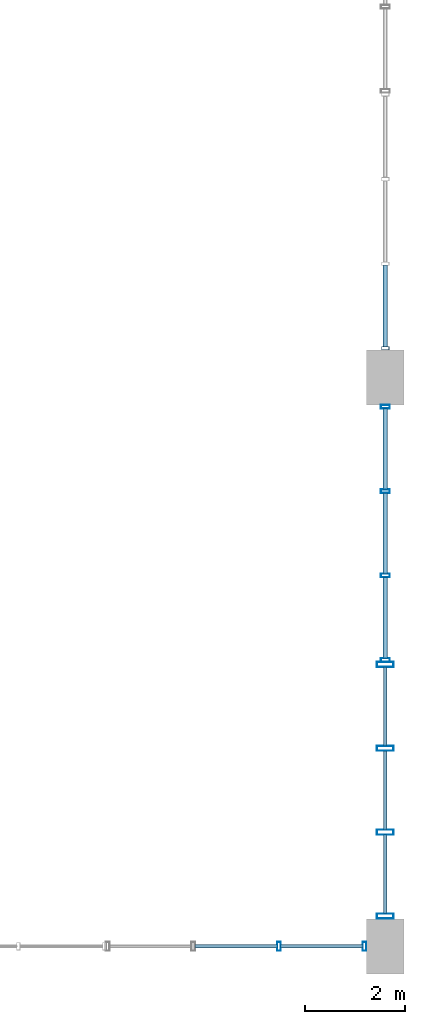
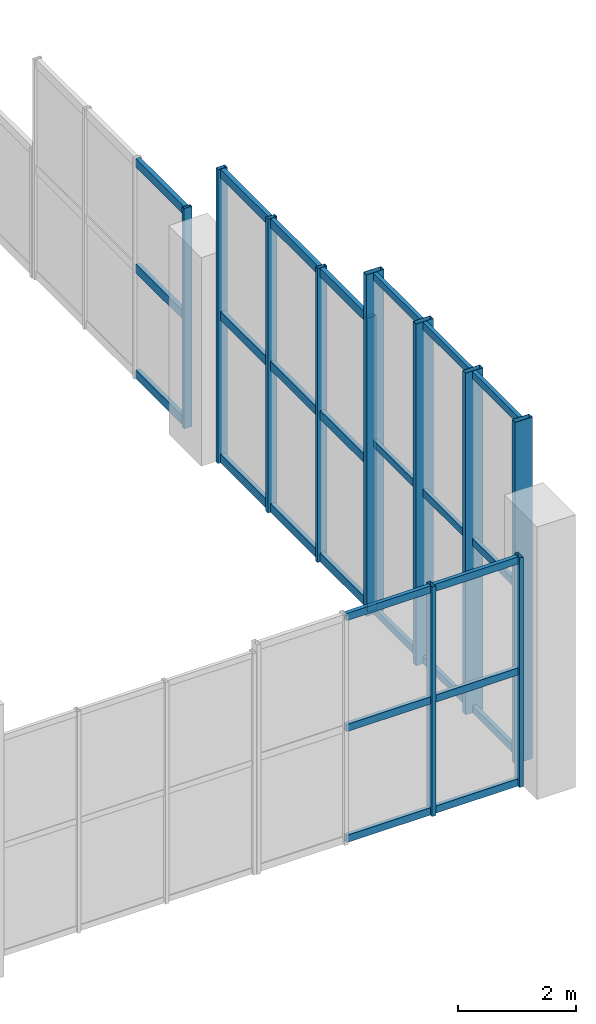
# One storey, part 11 of 28: 38 members, 4 elements without a shape of their own.
"""IFC4 building model written with IfcOpenShell, lengths in metres."""

import ifcopenshell
import ifcopenshell.guid

model = None  # the IFC model being written
_history = None  # IfcOwnerHistory: only IFC2X3 demands one
_inside = {}  # id of a spatial element -> (the spatial element, [elements in it])
_under = {}  # id of a project, library or spatial element -> (it, [spatial elements below it])
_declared = {}  # id of a project -> (the project, [libraries it declares])
_typed = {}  # id of a type object -> (the type object, [elements of that type])
_made_of = {}  # id of a material, layer set ... -> (it, [elements and type objects made of it])


def new_model(schema):
    """Start an empty IFC model of exactly this schema.

    Asked for "IFC4X3", IfcOpenShell would pick the latest addendum, in which some entities
    have other attributes; the version numbers below select the first issue.
    IFC2X3 requires an IfcOwnerHistory on every rooted entity: one is made here for all.
    """
    global model, _history
    if schema == "IFC4X3":
        model = ifcopenshell.file(schema_version=(4, 3, 0, 0))
    else:
        model = ifcopenshell.file(schema=schema)
    _inside.clear()
    _under.clear()
    _declared.clear()
    _typed.clear()
    _made_of.clear()
    _history = None
    if model.schema == "IFC2X3":
        org = make("IfcOrganization", Name="unknown")
        user = make(
            "IfcPersonAndOrganization",
            ThePerson=make("IfcPerson", FamilyName="unknown"),
            TheOrganization=org,
        )
        app = make(
            "IfcApplication",
            ApplicationDeveloper=org,
            Version="unknown",
            ApplicationFullName="unknown",
            ApplicationIdentifier="unknown",
        )
        _history = make(
            "IfcOwnerHistory",
            OwningUser=user,
            OwningApplication=app,
            ChangeAction="ADDED",
            CreationDate=0,
        )
    return model


def make(cls, **values):
    """One entity of the class cls with the attributes given. An attribute that is None is left unset."""
    return model.create_entity(
        cls, **{name: value for name, value in values.items() if value is not None}
    )


def rooted(cls, **values):
    """An entity with a GlobalId (a new one), such as an element, a storey or a relation."""
    return make(cls, GlobalId=ifcopenshell.guid.new(), OwnerHistory=_history, **values)


def si_unit(unit_type, name, prefix=None):
    """IfcSIUnit, for example si_unit("LENGTHUNIT", "METRE", prefix="MILLI")."""
    return make("IfcSIUnit", UnitType=unit_type, Prefix=prefix, Name=name)


def assignment(units):
    """IfcUnitAssignment: the units of a project."""
    return None if units is None else make("IfcUnitAssignment", Units=units)


def point(xyz):
    """IfcCartesianPoint."""
    return None if xyz is None else make("IfcCartesianPoint", Coordinates=xyz)


def direction(xyz):
    """IfcDirection."""
    return None if xyz is None else make("IfcDirection", DirectionRatios=xyz)


def frame(location, z_axis=None, x_axis=None):
    """IfcAxis2Placement3D, a coordinate frame: its origin and axes. An axis left out is left unset."""
    return make(
        "IfcAxis2Placement3D",
        Location=point(location),
        Axis=direction(z_axis),
        RefDirection=direction(x_axis),
    )


def frame_2d(location, x_axis=None):
    """IfcAxis2Placement2D, a coordinate frame in the plane: its origin and x axis."""
    return make(
        "IfcAxis2Placement2D", Location=point(location), RefDirection=direction(x_axis)
    )


def origin():
    """The frame at (0, 0, 0) with its axes left unset."""
    return frame((0.0, 0.0, 0.0))


def origin_2d():
    """The frame at (0, 0) in the plane with its x axis left unset."""
    return frame_2d((0.0, 0.0))


def place(relative_to, where):
    """IfcLocalPlacement: puts the frame where relative to a parent placement (None: the world)."""
    return make(
        "IfcLocalPlacement", PlacementRelTo=relative_to, RelativePlacement=where
    )


def context(
    kind, dimensions, precision=None, world=None, true_north=None, identifier=None
):
    """IfcGeometricRepresentationContext, for example the 3D "Model" context."""
    return make(
        "IfcGeometricRepresentationContext",
        ContextIdentifier=identifier,
        ContextType=kind,
        CoordinateSpaceDimension=dimensions,
        Precision=precision,
        WorldCoordinateSystem=world,
        TrueNorth=true_north,
    )


def subcontext(parent, identifier, kind, view, scale=None):
    """IfcGeometricRepresentationSubContext, for example "Body" below "Model"."""
    return make(
        "IfcGeometricRepresentationSubContext",
        ContextIdentifier=identifier,
        ContextType=kind,
        ParentContext=parent,
        TargetScale=scale,
        TargetView=view,
    )


def project(units=None, contexts=None):
    """IfcProject with its units and contexts."""
    return rooted(
        "IfcProject",
        Name="project",
        RepresentationContexts=contexts,
        UnitsInContext=assignment(units),
    )


def spatial(cls, under=None, at=None, **own):
    """A site, building, storey or space (cls), placed at a placement, below another one or the project."""
    s = rooted(cls, ObjectPlacement=at, **own)
    if under is not None:
        _under.setdefault(under.id(), (under, []))[1].append(s)
    return s


def profile(cls, at=None, kind="AREA", **sizes):
    """A parametric profile (cls). Its sizes go by their IFC names, for example OverallWidth=200.0."""
    return make(cls, ProfileType=kind, Position=at, **sizes)


def hollow_rectangle(**sizes):
    """IfcRectangleHollowProfileDef."""
    return profile("IfcRectangleHollowProfileDef", **sizes)


def extrude(swept, where, along, depth):
    """IfcExtrudedAreaSolid: the profile swept, set in the frame where, extruded along a direction by depth."""
    return make(
        "IfcExtrudedAreaSolid",
        SweptArea=swept,
        Position=where,
        ExtrudedDirection=direction(along),
        Depth=depth,
    )


def shape(context_of_items, identifier, shape_type, items):
    """IfcShapeRepresentation: the items that make up one representation, for example the "Body"."""
    return make(
        "IfcShapeRepresentation",
        ContextOfItems=context_of_items,
        RepresentationIdentifier=identifier,
        RepresentationType=shape_type,
        Items=items,
    )


def material(Name=None, Category=None):
    """IfcMaterial."""
    return make("IfcMaterial", Name=Name, Category=Category)


def layer(
    of_material, thickness, ventilated=None, Name=None, Category=None, Priority=None
):
    """IfcMaterialLayer: one layer of a wall or slab, of a material (None: an air gap)."""
    return make(
        "IfcMaterialLayer",
        Material=of_material,
        LayerThickness=thickness,
        IsVentilated=ventilated,
        Name=Name,
        Category=Category,
        Priority=Priority,
    )


def layer_set(layers, Name=None):
    """IfcMaterialLayerSet."""
    return make("IfcMaterialLayerSet", MaterialLayers=layers, LayerSetName=Name)


def material_profile(
    of_material, cross_section, Name=None, Category=None, Priority=None
):
    """IfcMaterialProfile: a cross section and its material."""
    return make(
        "IfcMaterialProfile",
        Name=Name,
        Material=of_material,
        Profile=cross_section,
        Priority=Priority,
        Category=Category,
    )


def profile_set(profiles, Name=None, composite=None):
    """IfcMaterialProfileSet."""
    return make(
        "IfcMaterialProfileSet",
        Name=Name,
        MaterialProfiles=profiles,
        CompositeProfile=composite,
    )


def made_of(thing, what):
    """Note that an element or type object is made of a material, layer set ...; save() writes the relation."""
    if what is not None:
        _made_of.setdefault(what.id(), (what, []))[1].append(thing)
    return thing


def type_object(cls, material=None, **own):
    """A type object (cls), such as IfcWallType, which elements share."""
    return made_of(rooted(cls, **own), material)


def element(
    cls,
    number,
    at=None,
    inside=None,
    cuts=None,
    type_object=None,
    material=None,
    context=None,
    identifier="Body",
    shape_type=None,
    held_by="IfcProductDefinitionShape",
    body=None,
    shapes=None,
    **own,
):
    """One element of the class cls, such as IfcWall. Its Tag is "e" and its number.

    at: its placement. inside: the storey or other place that contains it. cuts: it is an
    opening in that element (IfcRelVoidsElement). A single representation is given by context,
    identifier, shape_type and body (its items); several are given by shapes. held_by: the class
    of the entity that holds the representations. save() writes the other relations.
    """
    e = rooted(cls, Tag="e%d" % number, ObjectPlacement=at, **own)
    if body is not None:
        shapes = [shape(context, identifier, shape_type, body)]
    if shapes is not None:
        e.Representation = make(held_by, Representations=shapes)
    if inside is not None:
        _inside.setdefault(inside.id(), (inside, []))[1].append(e)
    if cuts is not None:
        rooted(
            "IfcRelVoidsElement", RelatingBuildingElement=cuts, RelatedOpeningElement=e
        )
    if type_object is not None:
        _typed.setdefault(type_object.id(), (type_object, []))[1].append(e)
    return made_of(e, material)


def aggregate(whole, parts):
    """IfcRelAggregates: a whole, such as a stair, and the parts it consists of."""
    return rooted("IfcRelAggregates", RelatingObject=whole, RelatedObjects=parts)


def save(model, path):
    """Write the relations noted so far, then the file.

    IfcRelAggregates (storeys below a building ...), IfcRelContainedInSpatialStructure (elements
    in a storey), IfcRelDefinesByType, IfcRelAssociatesMaterial and IfcRelDeclares: one each for
    every whole, place, type object, material and project.
    """
    for whole, parts in _under.values():
        aggregate(whole, parts)
    for where, things in _inside.values():
        rooted(
            "IfcRelContainedInSpatialStructure",
            RelatedElements=things,
            RelatingStructure=where,
        )
    for kind, things in _typed.values():
        rooted("IfcRelDefinesByType", RelatedObjects=things, RelatingType=kind)
    for what, things in _made_of.values():
        rooted("IfcRelAssociatesMaterial", RelatedObjects=things, RelatingMaterial=what)
    for by, libraries in _declared.values():
        rooted("IfcRelDeclares", RelatingContext=by, RelatedDefinitions=libraries)
    model.write(path)


model = new_model("IFC4")

# Units and contexts
model_context = context("Model", 3, precision=1e-05, world=origin(), true_north=direction((0.0, 1.0)))
body_context = subcontext(model_context, "Body", "Model", "MODEL_VIEW")
ifc_project = project(units=[si_unit("LENGTHUNIT", "METRE"), si_unit("AREAUNIT", "SQUARE_METRE"), si_unit("VOLUMEUNIT", "CUBIC_METRE"), si_unit("PLANEANGLEUNIT", "RADIAN"), si_unit("MASSUNIT", "GRAM", prefix="KILO"), si_unit("POWERUNIT", "WATT"), si_unit("THERMODYNAMICTEMPERATUREUNIT", "KELVIN")], contexts=[model_context])

# Site, building, storey
site_placement = place(None, origin())
site = spatial("IfcSite", under=ifc_project, at=site_placement, CompositionType="ELEMENT")
building_placement = place(site_placement, origin())
building = spatial("IfcBuilding", under=site, at=building_placement, Name="Kelmbourne Parkland Aquatics Centre", CompositionType="ELEMENT")
storey_placement = place(building_placement, frame((0.0, 0.0, 19.199951171875)))
storey = spatial("IfcBuildingStorey", under=building, at=storey_placement, Name="L04", CompositionType="ELEMENT", Elevation=19.199951171875)

# Curtain wall, member
ifc_material = material(Name="Thermally broken anodised aluminium framing", Category="aluminium")
ifc_layer_1 = layer(ifc_material, 0.179931640625)
ifc_layer_set_1 = layer_set([ifc_layer_1], Name="Thermally broken anodised aluminium framing")
curtain_wall_type_1 = type_object("IfcCurtainWallType", Name="CW-20", PredefinedType="NOTDEFINED", material=ifc_layer_set_1)
curtain_wall_1_placement = place(storey_placement, origin())
curtain_wall_1 = element("IfcCurtainWall", 1, at=curtain_wall_1_placement, inside=storey, type_object=curtain_wall_type_1, Name="Wave-hall clerestory curtain wall CW-L04-020", PredefinedType="NOTDEFINED")
ifc_material_profile_1 = material_profile(ifc_material, hollow_rectangle(XDim=0.06494140625, YDim=0.14990234375, WallThickness=0.00390625, at=origin_2d()), Name="CW-M 65x150")
ifc_profile_set_1 = profile_set([ifc_material_profile_1], Name="Thermally broken anodised aluminium framing")
member_type_1 = type_object("IfcMemberType", Name="MB-MUL-1", PredefinedType="MULLION", material=ifc_profile_set_1)
member_1_placement = place(storey_placement, frame((175.199951171875, 12.784423828125, 0.0), z_axis=(0.0, 0.0, 1.0), x_axis=(0.0, 1.0, 0.0)))
member_1 = element("IfcMember", 2, at=member_1_placement, type_object=member_type_1, Name="CW-L04-020 mullion 0", PredefinedType="MULLION", context=body_context, shape_type="SweptSolid", body=[
    extrude(hollow_rectangle(XDim=0.06494140625, YDim=0.14990234375, WallThickness=0.00390625, at=origin_2d()), origin(), (0.0, 0.0, 1.0), 4.5654296875),
])

# Curtain wall, members
ifc_layer_2 = layer(ifc_material, 0.179931640625)
ifc_layer_set_2 = layer_set([ifc_layer_2], Name="Thermally broken anodised aluminium framing")
curtain_wall_type_2 = type_object("IfcCurtainWallType", Name="CW-11", PredefinedType="NOTDEFINED", material=ifc_layer_set_2)
curtain_wall_2_placement = place(storey_placement, origin())
curtain_wall_2 = element("IfcCurtainWall", 3, at=curtain_wall_2_placement, inside=storey, type_object=curtain_wall_type_2, Name="Wave-hall clerestory curtain wall CW-L04-011", PredefinedType="NOTDEFINED")
ifc_material_profile_2 = material_profile(ifc_material, hollow_rectangle(XDim=0.074951171875, YDim=0.179931640625, WallThickness=0.00439453125, at=origin_2d()), Name="CW-M 75x180")
ifc_profile_set_2 = profile_set([ifc_material_profile_2], Name="Thermally broken anodised aluminium framing")
member_type_2 = type_object("IfcMemberType", Name="MB-MUL-2", PredefinedType="MULLION", material=ifc_profile_set_2)
member_2_placement = place(storey_placement, frame((175.199951171875, 6.53759765625, 0.0), z_axis=(0.0, 0.0, 1.0), x_axis=(0.0, 1.0, 0.0)))
member_2 = element("IfcMember", 4, at=member_2_placement, type_object=member_type_2, Name="CW-L04-011 mullion 0", PredefinedType="MULLION", context=body_context, shape_type="SweptSolid", body=[
    extrude(hollow_rectangle(XDim=0.074951171875, YDim=0.179931640625, WallThickness=0.00439453125, at=origin_2d()), origin(), (0.0, 0.0, 1.0), 6.08935546875),
])
member_3_placement = place(storey_placement, frame((175.199951171875, 8.228515625, 0.0), z_axis=(0.0, 0.0, 1.0), x_axis=(0.0, 1.0, 0.0)))
member_3 = element("IfcMember", 5, at=member_3_placement, type_object=member_type_2, Name="CW-L04-011 mullion 1", PredefinedType="MULLION", context=body_context, shape_type="SweptSolid", body=[
    extrude(hollow_rectangle(XDim=0.074951171875, YDim=0.179931640625, WallThickness=0.00439453125, at=origin_2d()), origin(), (0.0, 0.0, 1.0), 6.08935546875),
])
member_4_placement = place(storey_placement, frame((175.199951171875, 9.91943359375, 0.0), z_axis=(0.0, 0.0, 1.0), x_axis=(0.0, 1.0, 0.0)))
member_4 = element("IfcMember", 6, at=member_4_placement, type_object=member_type_2, Name="CW-L04-011 mullion 2", PredefinedType="MULLION", context=body_context, shape_type="SweptSolid", body=[
    extrude(hollow_rectangle(XDim=0.074951171875, YDim=0.179931640625, WallThickness=0.00439453125, at=origin_2d()), origin(), (0.0, 0.0, 1.0), 6.08935546875),
])
member_5_placement = place(storey_placement, frame((175.199951171875, 11.610595703125, 0.0), z_axis=(0.0, 0.0, 1.0), x_axis=(0.0, 1.0, 0.0)))
member_5 = element("IfcMember", 7, at=member_5_placement, type_object=member_type_2, Name="CW-L04-011 mullion 3", PredefinedType="MULLION", context=body_context, shape_type="SweptSolid", body=[
    extrude(hollow_rectangle(XDim=0.074951171875, YDim=0.179931640625, WallThickness=0.00439453125, at=origin_2d()), origin(), (0.0, 0.0, 1.0), 6.08935546875),
])

ifc_layer_3 = layer(ifc_material, 0.179931640625)
ifc_layer_set_3 = layer_set([ifc_layer_3], Name="Thermally broken anodised aluminium framing")
curtain_wall_type_3 = type_object("IfcCurtainWallType", Name="CW-16", PredefinedType="NOTDEFINED", material=ifc_layer_set_3)
curtain_wall_3_placement = place(storey_placement, origin())
curtain_wall_3 = element("IfcCurtainWall", 8, at=curtain_wall_3_placement, inside=storey, type_object=curtain_wall_type_3, Name="Wave-hall clerestory curtain wall CW-L04-136", PredefinedType="NOTDEFINED")
member_6_placement = place(storey_placement, frame((173.069580078125, 0.800048828125, 0.0), z_axis=(0.0, 0.0, 1.0), x_axis=(1.0, 0.0, 0.0)))
member_6 = element("IfcMember", 9, at=member_6_placement, type_object=member_type_2, Name="CW-L04-136 mullion 2", PredefinedType="MULLION", context=body_context, shape_type="SweptSolid", body=[
    extrude(hollow_rectangle(XDim=0.074951171875, YDim=0.179931640625, WallThickness=0.00439453125, at=origin_2d()), origin(), (0.0, 0.0, 1.0), 4.7548828125),
])
member_7_placement = place(storey_placement, frame((174.785400390625, 0.800048828125, 0.0), z_axis=(0.0, 0.0, 1.0), x_axis=(1.0, 0.0, 0.0)))
member_7 = element("IfcMember", 10, at=member_7_placement, type_object=member_type_2, Name="CW-L04-136 mullion 3", PredefinedType="MULLION", context=body_context, shape_type="SweptSolid", body=[
    extrude(hollow_rectangle(XDim=0.074951171875, YDim=0.179931640625, WallThickness=0.00439453125, at=origin_2d()), origin(), (0.0, 0.0, 1.0), 4.7548828125),
])

ifc_layer_4 = layer(ifc_material, 0.179931640625)
ifc_layer_set_4 = layer_set([ifc_layer_4], Name="Thermally broken anodised aluminium framing")
curtain_wall_type_4 = type_object("IfcCurtainWallType", Name="CW-04", PredefinedType="NOTDEFINED", material=ifc_layer_set_4)
curtain_wall_4_placement = place(storey_placement, origin())
curtain_wall_4 = element("IfcCurtainWall", 11, at=curtain_wall_4_placement, inside=storey, type_object=curtain_wall_type_4, Name="Wave-hall clerestory curtain wall CW-L04-004", PredefinedType="NOTDEFINED")
ifc_material_profile_3 = material_profile(ifc_material, hollow_rectangle(XDim=0.10498046875, YDim=0.340087890625, WallThickness=0.006103515625, at=origin_2d()), Name="CW-M 105x340")
ifc_profile_set_3 = profile_set([ifc_material_profile_3], Name="Thermally broken anodised aluminium framing")
member_type_3 = type_object("IfcMemberType", Name="MB-MUL-5", PredefinedType="MULLION", material=ifc_profile_set_3)
member_8_placement = place(storey_placement, frame((175.199951171875, 1.404541015625, 0.0), z_axis=(0.0, 0.0, 1.0), x_axis=(0.0, 1.0, 0.0)))
member_8 = element("IfcMember", 12, at=member_8_placement, type_object=member_type_3, Name="CW-L04-004 mullion 0", PredefinedType="MULLION", context=body_context, shape_type="SweptSolid", body=[
    extrude(hollow_rectangle(XDim=0.10498046875, YDim=0.340087890625, WallThickness=0.006103515625, at=origin_2d()), origin(), (0.0, 0.0, 1.0), 7.07763671875),
])
member_9_placement = place(storey_placement, frame((175.199951171875, 3.08544921875, 0.0), z_axis=(0.0, 0.0, 1.0), x_axis=(0.0, 1.0, 0.0)))
member_9 = element("IfcMember", 13, at=member_9_placement, type_object=member_type_3, Name="CW-L04-004 mullion 1", PredefinedType="MULLION", context=body_context, shape_type="SweptSolid", body=[
    extrude(hollow_rectangle(XDim=0.10498046875, YDim=0.340087890625, WallThickness=0.006103515625, at=origin_2d()), origin(), (0.0, 0.0, 1.0), 7.07763671875),
])
member_10_placement = place(storey_placement, frame((175.199951171875, 4.7666015625, 0.0), z_axis=(0.0, 0.0, 1.0), x_axis=(0.0, 1.0, 0.0)))
member_10 = element("IfcMember", 14, at=member_10_placement, type_object=member_type_3, Name="CW-L04-004 mullion 2", PredefinedType="MULLION", context=body_context, shape_type="SweptSolid", body=[
    extrude(hollow_rectangle(XDim=0.10498046875, YDim=0.340087890625, WallThickness=0.006103515625, at=origin_2d()), origin(), (0.0, 0.0, 1.0), 7.07763671875),
])
member_11_placement = place(storey_placement, frame((175.199951171875, 6.447509765625, 0.0), z_axis=(0.0, 0.0, 1.0), x_axis=(0.0, 1.0, 0.0)))
member_11 = element("IfcMember", 15, at=member_11_placement, type_object=member_type_3, Name="CW-L04-004 mullion 3", PredefinedType="MULLION", context=body_context, shape_type="SweptSolid", body=[
    extrude(hollow_rectangle(XDim=0.10498046875, YDim=0.340087890625, WallThickness=0.006103515625, at=origin_2d()), origin(), (0.0, 0.0, 1.0), 7.07763671875),
])
ifc_material_profile_4 = material_profile(ifc_material, hollow_rectangle(XDim=0.074951171875, YDim=0.14990234375, WallThickness=0.00390625, at=origin_2d()), Name="CW-T 75x150")
ifc_profile_set_4 = profile_set([ifc_material_profile_4], Name="Thermally broken anodised aluminium framing")
member_type_4 = type_object("IfcMemberType", Name="MB-TRN-2", PredefinedType="USERDEFINED", material=ifc_profile_set_4)
member_12_placement = place(storey_placement, frame((175.199951171875, 1.452880859375, 0.078125), z_axis=(0.0, 1.0, 0.0), x_axis=(-1.0, 0.0, 0.0)))
member_12 = element("IfcMember", 16, at=member_12_placement, type_object=member_type_4, Name="CW-L04-004 transom 0-0", ObjectType="TRANSOM", PredefinedType="USERDEFINED", context=body_context, shape_type="SweptSolid", body=[
    extrude(hollow_rectangle(XDim=0.074951171875, YDim=0.14990234375, WallThickness=0.00390625, at=origin_2d()), origin(), (0.0, 0.0, 1.0), 1.584228515625),
])
member_13_placement = place(storey_placement, frame((175.199951171875, 3.134033203125, 0.078125), z_axis=(0.0, 1.0, 0.0), x_axis=(-1.0, 0.0, 0.0)))
member_13 = element("IfcMember", 17, at=member_13_placement, type_object=member_type_4, Name="CW-L04-004 transom 0-1", ObjectType="TRANSOM", PredefinedType="USERDEFINED", context=body_context, shape_type="SweptSolid", body=[
    extrude(hollow_rectangle(XDim=0.074951171875, YDim=0.14990234375, WallThickness=0.00390625, at=origin_2d()), origin(), (0.0, 0.0, 1.0), 1.583984375),
])
member_14_placement = place(storey_placement, frame((175.199951171875, 4.81494140625, 0.078125), z_axis=(0.0, 1.0, 0.0), x_axis=(-1.0, 0.0, 0.0)))
member_14 = element("IfcMember", 18, at=member_14_placement, type_object=member_type_4, Name="CW-L04-004 transom 0-2", ObjectType="TRANSOM", PredefinedType="USERDEFINED", context=body_context, shape_type="SweptSolid", body=[
    extrude(hollow_rectangle(XDim=0.074951171875, YDim=0.14990234375, WallThickness=0.00390625, at=origin_2d()), origin(), (0.0, 0.0, 1.0), 1.583984375),
])
member_15_placement = place(storey_placement, frame((175.199951171875, 1.452880859375, 3.538818359375), z_axis=(0.0, 1.0, 0.0), x_axis=(-1.0, 0.0, 0.0)))
member_15 = element("IfcMember", 19, at=member_15_placement, type_object=member_type_4, Name="CW-L04-004 transom 1-0", ObjectType="TRANSOM", PredefinedType="USERDEFINED", context=body_context, shape_type="SweptSolid", body=[
    extrude(hollow_rectangle(XDim=0.074951171875, YDim=0.14990234375, WallThickness=0.00390625, at=origin_2d()), origin(), (0.0, 0.0, 1.0), 1.584228515625),
])
member_16_placement = place(storey_placement, frame((175.199951171875, 3.134033203125, 3.538818359375), z_axis=(0.0, 1.0, 0.0), x_axis=(-1.0, 0.0, 0.0)))
member_16 = element("IfcMember", 20, at=member_16_placement, type_object=member_type_4, Name="CW-L04-004 transom 1-1", ObjectType="TRANSOM", PredefinedType="USERDEFINED", context=body_context, shape_type="SweptSolid", body=[
    extrude(hollow_rectangle(XDim=0.074951171875, YDim=0.14990234375, WallThickness=0.00390625, at=origin_2d()), origin(), (0.0, 0.0, 1.0), 1.583984375),
])
member_17_placement = place(storey_placement, frame((175.199951171875, 4.81494140625, 3.538818359375), z_axis=(0.0, 1.0, 0.0), x_axis=(-1.0, 0.0, 0.0)))
member_17 = element("IfcMember", 21, at=member_17_placement, type_object=member_type_4, Name="CW-L04-004 transom 1-2", ObjectType="TRANSOM", PredefinedType="USERDEFINED", context=body_context, shape_type="SweptSolid", body=[
    extrude(hollow_rectangle(XDim=0.074951171875, YDim=0.14990234375, WallThickness=0.00390625, at=origin_2d()), origin(), (0.0, 0.0, 1.0), 1.583984375),
])
member_18_placement = place(storey_placement, frame((175.199951171875, 1.452880859375, 6.999755859375), z_axis=(0.0, 1.0, 0.0), x_axis=(-1.0, 0.0, 0.0)))
member_18 = element("IfcMember", 22, at=member_18_placement, type_object=member_type_4, Name="CW-L04-004 transom 2-0", ObjectType="TRANSOM", PredefinedType="USERDEFINED", context=body_context, shape_type="SweptSolid", body=[
    extrude(hollow_rectangle(XDim=0.074951171875, YDim=0.14990234375, WallThickness=0.00390625, at=origin_2d()), origin(), (0.0, 0.0, 1.0), 1.584228515625),
])
member_19_placement = place(storey_placement, frame((175.199951171875, 3.134033203125, 6.999755859375), z_axis=(0.0, 1.0, 0.0), x_axis=(-1.0, 0.0, 0.0)))
member_19 = element("IfcMember", 23, at=member_19_placement, type_object=member_type_4, Name="CW-L04-004 transom 2-1", ObjectType="TRANSOM", PredefinedType="USERDEFINED", context=body_context, shape_type="SweptSolid", body=[
    extrude(hollow_rectangle(XDim=0.074951171875, YDim=0.14990234375, WallThickness=0.00390625, at=origin_2d()), origin(), (0.0, 0.0, 1.0), 1.583984375),
])
member_20_placement = place(storey_placement, frame((175.199951171875, 4.81494140625, 6.999755859375), z_axis=(0.0, 1.0, 0.0), x_axis=(-1.0, 0.0, 0.0)))
member_20 = element("IfcMember", 24, at=member_20_placement, type_object=member_type_4, Name="CW-L04-004 transom 2-2", ObjectType="TRANSOM", PredefinedType="USERDEFINED", context=body_context, shape_type="SweptSolid", body=[
    extrude(hollow_rectangle(XDim=0.074951171875, YDim=0.14990234375, WallThickness=0.00390625, at=origin_2d()), origin(), (0.0, 0.0, 1.0), 1.583984375),
])
aggregate(curtain_wall_4, [member_8, member_9, member_10, member_11, member_12, member_13, member_14, member_15, member_16, member_17, member_18, member_19, member_20])

# Member
member_21_placement = place(storey_placement, frame((171.386962890625, 0.800048828125, 0.078125), z_axis=(1.0, 0.0, 0.0), x_axis=(0.0, 1.0, 0.0)))
member_21 = element("IfcMember", 25, at=member_21_placement, type_object=member_type_4, Name="CW-L04-136 transom 0-1", ObjectType="TRANSOM", PredefinedType="USERDEFINED", context=body_context, shape_type="SweptSolid", body=[
    extrude(hollow_rectangle(XDim=0.074951171875, YDim=0.14990234375, WallThickness=0.00390625, at=origin_2d()), origin(), (0.0, 0.0, 1.0), 1.64892578125),
])

member_22_placement = place(storey_placement, frame((173.10302734375, 0.800048828125, 0.078125), z_axis=(1.0, 0.0, 0.0), x_axis=(0.0, 1.0, 0.0)))
member_22 = element("IfcMember", 26, at=member_22_placement, type_object=member_type_4, Name="CW-L04-136 transom 0-2", ObjectType="TRANSOM", PredefinedType="USERDEFINED", context=body_context, shape_type="SweptSolid", body=[
    extrude(hollow_rectangle(XDim=0.074951171875, YDim=0.14990234375, WallThickness=0.00390625, at=origin_2d()), origin(), (0.0, 0.0, 1.0), 1.64892578125),
])

member_23_placement = place(storey_placement, frame((171.386962890625, 0.800048828125, 2.37744140625), z_axis=(1.0, 0.0, 0.0), x_axis=(0.0, 1.0, 0.0)))
member_23 = element("IfcMember", 27, at=member_23_placement, type_object=member_type_4, Name="CW-L04-136 transom 1-1", ObjectType="TRANSOM", PredefinedType="USERDEFINED", context=body_context, shape_type="SweptSolid", body=[
    extrude(hollow_rectangle(XDim=0.074951171875, YDim=0.14990234375, WallThickness=0.00390625, at=origin_2d()), origin(), (0.0, 0.0, 1.0), 1.64892578125),
])

member_24_placement = place(storey_placement, frame((173.10302734375, 0.800048828125, 2.37744140625), z_axis=(1.0, 0.0, 0.0), x_axis=(0.0, 1.0, 0.0)))
member_24 = element("IfcMember", 28, at=member_24_placement, type_object=member_type_4, Name="CW-L04-136 transom 1-2", ObjectType="TRANSOM", PredefinedType="USERDEFINED", context=body_context, shape_type="SweptSolid", body=[
    extrude(hollow_rectangle(XDim=0.074951171875, YDim=0.14990234375, WallThickness=0.00390625, at=origin_2d()), origin(), (0.0, 0.0, 1.0), 1.64892578125),
])

member_25_placement = place(storey_placement, frame((171.386962890625, 0.800048828125, 4.6767578125), z_axis=(1.0, 0.0, 0.0), x_axis=(0.0, 1.0, 0.0)))
member_25 = element("IfcMember", 29, at=member_25_placement, type_object=member_type_4, Name="CW-L04-136 transom 2-1", ObjectType="TRANSOM", PredefinedType="USERDEFINED", context=body_context, shape_type="SweptSolid", body=[
    extrude(hollow_rectangle(XDim=0.074951171875, YDim=0.14990234375, WallThickness=0.00390625, at=origin_2d()), origin(), (0.0, 0.0, 1.0), 1.64892578125),
])

member_26_placement = place(storey_placement, frame((173.10302734375, 0.800048828125, 4.6767578125), z_axis=(1.0, 0.0, 0.0), x_axis=(0.0, 1.0, 0.0)))
member_26 = element("IfcMember", 30, at=member_26_placement, type_object=member_type_4, Name="CW-L04-136 transom 2-2", ObjectType="TRANSOM", PredefinedType="USERDEFINED", context=body_context, shape_type="SweptSolid", body=[
    extrude(hollow_rectangle(XDim=0.074951171875, YDim=0.14990234375, WallThickness=0.00390625, at=origin_2d()), origin(), (0.0, 0.0, 1.0), 1.64892578125),
])

aggregate(curtain_wall_3, [member_6, member_7, member_21, member_22, member_23, member_24, member_25, member_26])

ifc_material_profile_5 = material_profile(ifc_material, hollow_rectangle(XDim=0.0849609375, YDim=0.179931640625, WallThickness=0.00439453125, at=origin_2d()), Name="CW-T 85x180")
ifc_profile_set_5 = profile_set([ifc_material_profile_5], Name="Thermally broken anodised aluminium framing")
member_type_5 = type_object("IfcMemberType", Name="MB-TRN-3", PredefinedType="USERDEFINED", material=ifc_profile_set_5)
member_27_placement = place(storey_placement, frame((175.199951171875, 6.571044921875, 0.093017578125), z_axis=(0.0, 1.0, 0.0), x_axis=(-1.0, 0.0, 0.0)))
member_27 = element("IfcMember", 31, at=member_27_placement, type_object=member_type_5, Name="CW-L04-011 transom 0-0", ObjectType="TRANSOM", PredefinedType="USERDEFINED", context=body_context, shape_type="SweptSolid", body=[
    extrude(hollow_rectangle(XDim=0.0849609375, YDim=0.179931640625, WallThickness=0.00439453125, at=origin_2d()), origin(), (0.0, 0.0, 1.0), 1.6240234375),
])

member_28_placement = place(storey_placement, frame((175.199951171875, 8.261962890625, 0.093017578125), z_axis=(0.0, 1.0, 0.0), x_axis=(-1.0, 0.0, 0.0)))
member_28 = element("IfcMember", 32, at=member_28_placement, type_object=member_type_5, Name="CW-L04-011 transom 0-1", ObjectType="TRANSOM", PredefinedType="USERDEFINED", context=body_context, shape_type="SweptSolid", body=[
    extrude(hollow_rectangle(XDim=0.0849609375, YDim=0.179931640625, WallThickness=0.00439453125, at=origin_2d()), origin(), (0.0, 0.0, 1.0), 1.6240234375),
])

member_29_placement = place(storey_placement, frame((175.199951171875, 9.952880859375, 0.093017578125), z_axis=(0.0, 1.0, 0.0), x_axis=(-1.0, 0.0, 0.0)))
member_29 = element("IfcMember", 33, at=member_29_placement, type_object=member_type_5, Name="CW-L04-011 transom 0-2", ObjectType="TRANSOM", PredefinedType="USERDEFINED", context=body_context, shape_type="SweptSolid", body=[
    extrude(hollow_rectangle(XDim=0.0849609375, YDim=0.179931640625, WallThickness=0.00439453125, at=origin_2d()), origin(), (0.0, 0.0, 1.0), 1.6240234375),
])

member_30_placement = place(storey_placement, frame((175.199951171875, 6.571044921875, 3.044677734375), z_axis=(0.0, 1.0, 0.0), x_axis=(-1.0, 0.0, 0.0)))
member_30 = element("IfcMember", 34, at=member_30_placement, type_object=member_type_5, Name="CW-L04-011 transom 1-0", ObjectType="TRANSOM", PredefinedType="USERDEFINED", context=body_context, shape_type="SweptSolid", body=[
    extrude(hollow_rectangle(XDim=0.0849609375, YDim=0.179931640625, WallThickness=0.00439453125, at=origin_2d()), origin(), (0.0, 0.0, 1.0), 1.6240234375),
])

member_31_placement = place(storey_placement, frame((175.199951171875, 8.261962890625, 3.044677734375), z_axis=(0.0, 1.0, 0.0), x_axis=(-1.0, 0.0, 0.0)))
member_31 = element("IfcMember", 35, at=member_31_placement, type_object=member_type_5, Name="CW-L04-011 transom 1-1", ObjectType="TRANSOM", PredefinedType="USERDEFINED", context=body_context, shape_type="SweptSolid", body=[
    extrude(hollow_rectangle(XDim=0.0849609375, YDim=0.179931640625, WallThickness=0.00439453125, at=origin_2d()), origin(), (0.0, 0.0, 1.0), 1.6240234375),
])

member_32_placement = place(storey_placement, frame((175.199951171875, 9.952880859375, 3.044677734375), z_axis=(0.0, 1.0, 0.0), x_axis=(-1.0, 0.0, 0.0)))
member_32 = element("IfcMember", 36, at=member_32_placement, type_object=member_type_5, Name="CW-L04-011 transom 1-2", ObjectType="TRANSOM", PredefinedType="USERDEFINED", context=body_context, shape_type="SweptSolid", body=[
    extrude(hollow_rectangle(XDim=0.0849609375, YDim=0.179931640625, WallThickness=0.00439453125, at=origin_2d()), origin(), (0.0, 0.0, 1.0), 1.6240234375),
])

member_33_placement = place(storey_placement, frame((175.199951171875, 6.571044921875, 5.996337890625), z_axis=(0.0, 1.0, 0.0), x_axis=(-1.0, 0.0, 0.0)))
member_33 = element("IfcMember", 37, at=member_33_placement, type_object=member_type_5, Name="CW-L04-011 transom 2-0", ObjectType="TRANSOM", PredefinedType="USERDEFINED", context=body_context, shape_type="SweptSolid", body=[
    extrude(hollow_rectangle(XDim=0.0849609375, YDim=0.179931640625, WallThickness=0.00439453125, at=origin_2d()), origin(), (0.0, 0.0, 1.0), 1.6240234375),
])

member_34_placement = place(storey_placement, frame((175.199951171875, 8.261962890625, 5.996337890625), z_axis=(0.0, 1.0, 0.0), x_axis=(-1.0, 0.0, 0.0)))
member_34 = element("IfcMember", 38, at=member_34_placement, type_object=member_type_5, Name="CW-L04-011 transom 2-1", ObjectType="TRANSOM", PredefinedType="USERDEFINED", context=body_context, shape_type="SweptSolid", body=[
    extrude(hollow_rectangle(XDim=0.0849609375, YDim=0.179931640625, WallThickness=0.00439453125, at=origin_2d()), origin(), (0.0, 0.0, 1.0), 1.6240234375),
])

member_35_placement = place(storey_placement, frame((175.199951171875, 9.952880859375, 5.996337890625), z_axis=(0.0, 1.0, 0.0), x_axis=(-1.0, 0.0, 0.0)))
member_35 = element("IfcMember", 39, at=member_35_placement, type_object=member_type_5, Name="CW-L04-011 transom 2-2", ObjectType="TRANSOM", PredefinedType="USERDEFINED", context=body_context, shape_type="SweptSolid", body=[
    extrude(hollow_rectangle(XDim=0.0849609375, YDim=0.179931640625, WallThickness=0.00439453125, at=origin_2d()), origin(), (0.0, 0.0, 1.0), 1.6240234375),
])

aggregate(curtain_wall_2, [member_2, member_3, member_4, member_5, member_27, member_28, member_29, member_30, member_31, member_32, member_33, member_34, member_35])

member_36_placement = place(storey_placement, frame((175.199951171875, 12.81298828125, 0.093017578125), z_axis=(0.0, 1.0, 0.0), x_axis=(-1.0, 0.0, 0.0)))
member_36 = element("IfcMember", 40, at=member_36_placement, type_object=member_type_5, Name="CW-L04-020 transom 0-0", ObjectType="TRANSOM", PredefinedType="USERDEFINED", context=body_context, shape_type="SweptSolid", body=[
    extrude(hollow_rectangle(XDim=0.0849609375, YDim=0.179931640625, WallThickness=0.00439453125, at=origin_2d()), origin(), (0.0, 0.0, 1.0), 1.63720703125),
])

member_37_placement = place(storey_placement, frame((175.199951171875, 12.81298828125, 2.28271484375), z_axis=(0.0, 1.0, 0.0), x_axis=(-1.0, 0.0, 0.0)))
member_37 = element("IfcMember", 41, at=member_37_placement, type_object=member_type_5, Name="CW-L04-020 transom 1-0", ObjectType="TRANSOM", PredefinedType="USERDEFINED", context=body_context, shape_type="SweptSolid", body=[
    extrude(hollow_rectangle(XDim=0.0849609375, YDim=0.179931640625, WallThickness=0.00439453125, at=origin_2d()), origin(), (0.0, 0.0, 1.0), 1.63720703125),
])

member_38_placement = place(storey_placement, frame((175.199951171875, 12.81298828125, 4.472412109375), z_axis=(0.0, 1.0, 0.0), x_axis=(-1.0, 0.0, 0.0)))
member_38 = element("IfcMember", 42, at=member_38_placement, type_object=member_type_5, Name="CW-L04-020 transom 2-0", ObjectType="TRANSOM", PredefinedType="USERDEFINED", context=body_context, shape_type="SweptSolid", body=[
    extrude(hollow_rectangle(XDim=0.0849609375, YDim=0.179931640625, WallThickness=0.00439453125, at=origin_2d()), origin(), (0.0, 0.0, 1.0), 1.63720703125),
])

aggregate(curtain_wall_1, [member_1, member_36, member_37, member_38])

save(model, "model.ifc")
